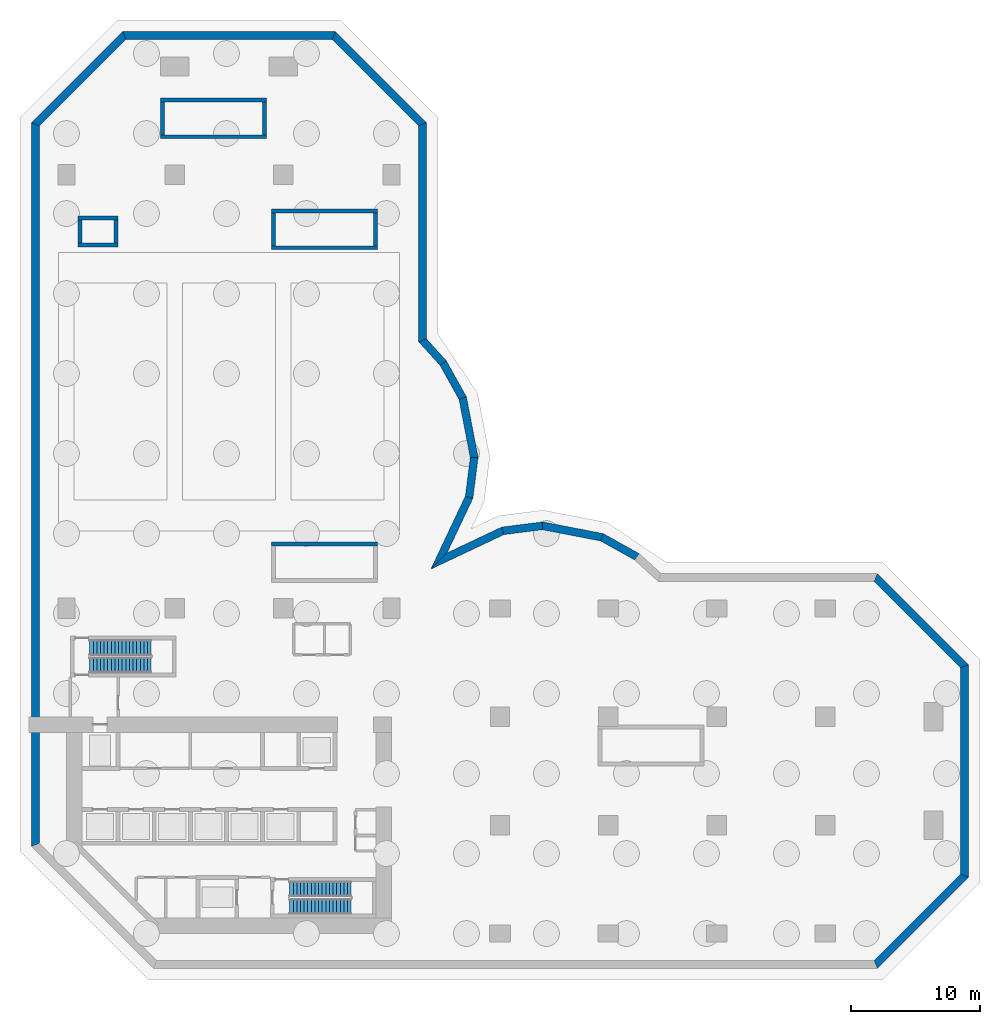
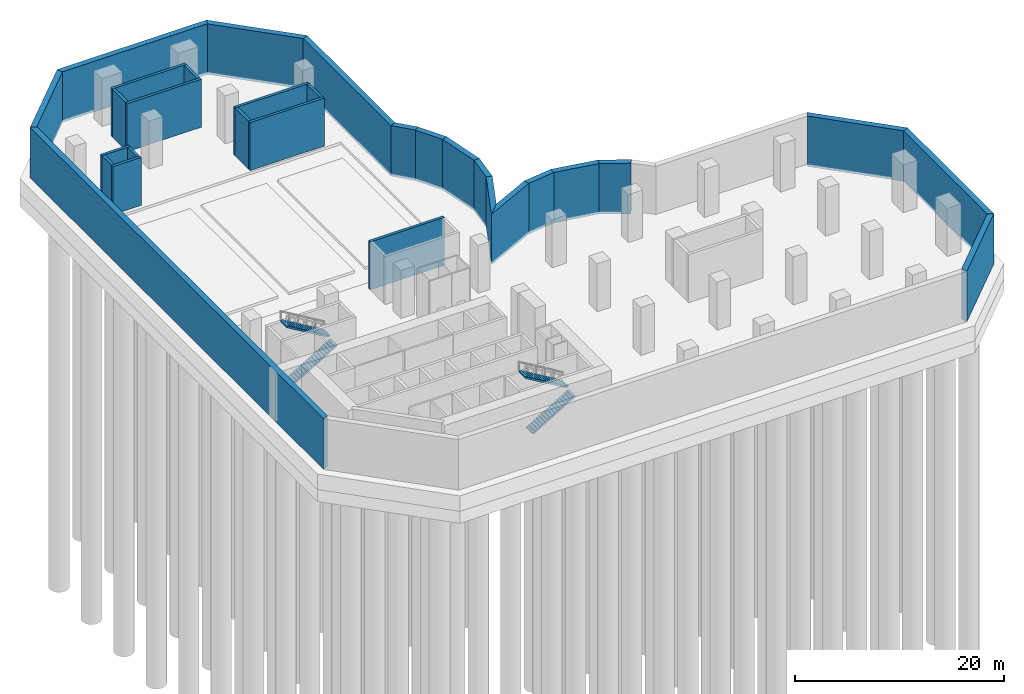
# One storey, part 4 of 6: 30 walls, 4 stair flights, 2 elements without a shape of their own.
"""IFC4 building model written with IfcOpenShell, lengths in metres."""

import ifcopenshell
import ifcopenshell.guid

model = None  # the IFC model being written
_history = None  # IfcOwnerHistory: only IFC2X3 demands one
_inside = {}  # id of a spatial element -> (the spatial element, [elements in it])
_under = {}  # id of a project, library or spatial element -> (it, [spatial elements below it])
_declared = {}  # id of a project -> (the project, [libraries it declares])
_typed = {}  # id of a type object -> (the type object, [elements of that type])
_made_of = {}  # id of a material, layer set ... -> (it, [elements and type objects made of it])


def new_model(schema):
    """Start an empty IFC model of exactly this schema.

    Asked for "IFC4X3", IfcOpenShell would pick the latest addendum, in which some entities
    have other attributes; the version numbers below select the first issue.
    IFC2X3 requires an IfcOwnerHistory on every rooted entity: one is made here for all.
    """
    global model, _history
    if schema == "IFC4X3":
        model = ifcopenshell.file(schema_version=(4, 3, 0, 0))
    else:
        model = ifcopenshell.file(schema=schema)
    _inside.clear()
    _under.clear()
    _declared.clear()
    _typed.clear()
    _made_of.clear()
    _history = None
    if model.schema == "IFC2X3":
        org = make("IfcOrganization", Name="unknown")
        user = make(
            "IfcPersonAndOrganization",
            ThePerson=make("IfcPerson", FamilyName="unknown"),
            TheOrganization=org,
        )
        app = make(
            "IfcApplication",
            ApplicationDeveloper=org,
            Version="unknown",
            ApplicationFullName="unknown",
            ApplicationIdentifier="unknown",
        )
        _history = make(
            "IfcOwnerHistory",
            OwningUser=user,
            OwningApplication=app,
            ChangeAction="ADDED",
            CreationDate=0,
        )
    return model


def make(cls, **values):
    """One entity of the class cls with the attributes given. An attribute that is None is left unset."""
    return model.create_entity(
        cls, **{name: value for name, value in values.items() if value is not None}
    )


def rooted(cls, **values):
    """An entity with a GlobalId (a new one), such as an element, a storey or a relation."""
    return make(cls, GlobalId=ifcopenshell.guid.new(), OwnerHistory=_history, **values)


def si_unit(unit_type, name, prefix=None):
    """IfcSIUnit, for example si_unit("LENGTHUNIT", "METRE", prefix="MILLI")."""
    return make("IfcSIUnit", UnitType=unit_type, Prefix=prefix, Name=name)


def assignment(units):
    """IfcUnitAssignment: the units of a project."""
    return None if units is None else make("IfcUnitAssignment", Units=units)


def point(xyz):
    """IfcCartesianPoint."""
    return None if xyz is None else make("IfcCartesianPoint", Coordinates=xyz)


def direction(xyz):
    """IfcDirection."""
    return None if xyz is None else make("IfcDirection", DirectionRatios=xyz)


def frame(location, z_axis=None, x_axis=None):
    """IfcAxis2Placement3D, a coordinate frame: its origin and axes. An axis left out is left unset."""
    return make(
        "IfcAxis2Placement3D",
        Location=point(location),
        Axis=direction(z_axis),
        RefDirection=direction(x_axis),
    )


def frame_2d(location, x_axis=None):
    """IfcAxis2Placement2D, a coordinate frame in the plane: its origin and x axis."""
    return make(
        "IfcAxis2Placement2D", Location=point(location), RefDirection=direction(x_axis)
    )


def origin():
    """The frame at (0, 0, 0) with its axes left unset."""
    return frame((0.0, 0.0, 0.0))


def place(relative_to, where):
    """IfcLocalPlacement: puts the frame where relative to a parent placement (None: the world)."""
    return make(
        "IfcLocalPlacement", PlacementRelTo=relative_to, RelativePlacement=where
    )


def context(
    kind, dimensions, precision=None, world=None, true_north=None, identifier=None
):
    """IfcGeometricRepresentationContext, for example the 3D "Model" context."""
    return make(
        "IfcGeometricRepresentationContext",
        ContextIdentifier=identifier,
        ContextType=kind,
        CoordinateSpaceDimension=dimensions,
        Precision=precision,
        WorldCoordinateSystem=world,
        TrueNorth=true_north,
    )


def subcontext(parent, identifier, kind, view, scale=None):
    """IfcGeometricRepresentationSubContext, for example "Body" below "Model"."""
    return make(
        "IfcGeometricRepresentationSubContext",
        ContextIdentifier=identifier,
        ContextType=kind,
        ParentContext=parent,
        TargetScale=scale,
        TargetView=view,
    )


def project(units=None, contexts=None):
    """IfcProject with its units and contexts."""
    return rooted(
        "IfcProject",
        Name="project",
        RepresentationContexts=contexts,
        UnitsInContext=assignment(units),
    )


def spatial(cls, under=None, at=None, **own):
    """A site, building, storey or space (cls), placed at a placement, below another one or the project."""
    s = rooted(cls, ObjectPlacement=at, **own)
    if under is not None:
        _under.setdefault(under.id(), (under, []))[1].append(s)
    return s


def polyline(points):
    """IfcPolyline through the points."""
    return make("IfcPolyline", Points=[point(p) for p in points])


def profile(cls, at=None, kind="AREA", **sizes):
    """A parametric profile (cls). Its sizes go by their IFC names, for example OverallWidth=200.0."""
    return make(cls, ProfileType=kind, Position=at, **sizes)


def rectangle(**sizes):
    """IfcRectangleProfileDef."""
    return profile("IfcRectangleProfileDef", **sizes)


def outline(outer, holes=None, kind="AREA"):
    """IfcArbitraryClosedProfileDef: a profile drawn as a closed curve; with holes, ...WithVoids."""
    if holes is None:
        return make("IfcArbitraryClosedProfileDef", ProfileType=kind, OuterCurve=outer)
    return make(
        "IfcArbitraryProfileDefWithVoids",
        ProfileType=kind,
        OuterCurve=outer,
        InnerCurves=holes,
    )


def extrude(swept, where, along, depth):
    """IfcExtrudedAreaSolid: the profile swept, set in the frame where, extruded along a direction by depth."""
    return make(
        "IfcExtrudedAreaSolid",
        SweptArea=swept,
        Position=where,
        ExtrudedDirection=direction(along),
        Depth=depth,
    )


def shape(context_of_items, identifier, shape_type, items):
    """IfcShapeRepresentation: the items that make up one representation, for example the "Body"."""
    return make(
        "IfcShapeRepresentation",
        ContextOfItems=context_of_items,
        RepresentationIdentifier=identifier,
        RepresentationType=shape_type,
        Items=items,
    )


def material(Name=None, Category=None):
    """IfcMaterial."""
    return make("IfcMaterial", Name=Name, Category=Category)


def layer(
    of_material, thickness, ventilated=None, Name=None, Category=None, Priority=None
):
    """IfcMaterialLayer: one layer of a wall or slab, of a material (None: an air gap)."""
    return make(
        "IfcMaterialLayer",
        Material=of_material,
        LayerThickness=thickness,
        IsVentilated=ventilated,
        Name=Name,
        Category=Category,
        Priority=Priority,
    )


def layer_set(layers, Name=None):
    """IfcMaterialLayerSet."""
    return make("IfcMaterialLayerSet", MaterialLayers=layers, LayerSetName=Name)


def made_of(thing, what):
    """Note that an element or type object is made of a material, layer set ...; save() writes the relation."""
    if what is not None:
        _made_of.setdefault(what.id(), (what, []))[1].append(thing)
    return thing


def type_object(cls, material=None, **own):
    """A type object (cls), such as IfcWallType, which elements share."""
    return made_of(rooted(cls, **own), material)


def element(
    cls,
    number,
    at=None,
    inside=None,
    cuts=None,
    type_object=None,
    material=None,
    context=None,
    identifier="Body",
    shape_type=None,
    held_by="IfcProductDefinitionShape",
    body=None,
    shapes=None,
    **own,
):
    """One element of the class cls, such as IfcWall. Its Tag is "e" and its number.

    at: its placement. inside: the storey or other place that contains it. cuts: it is an
    opening in that element (IfcRelVoidsElement). A single representation is given by context,
    identifier, shape_type and body (its items); several are given by shapes. held_by: the class
    of the entity that holds the representations. save() writes the other relations.
    """
    e = rooted(cls, Tag="e%d" % number, ObjectPlacement=at, **own)
    if body is not None:
        shapes = [shape(context, identifier, shape_type, body)]
    if shapes is not None:
        e.Representation = make(held_by, Representations=shapes)
    if inside is not None:
        _inside.setdefault(inside.id(), (inside, []))[1].append(e)
    if cuts is not None:
        rooted(
            "IfcRelVoidsElement", RelatingBuildingElement=cuts, RelatedOpeningElement=e
        )
    if type_object is not None:
        _typed.setdefault(type_object.id(), (type_object, []))[1].append(e)
    return made_of(e, material)


def aggregate(whole, parts):
    """IfcRelAggregates: a whole, such as a stair, and the parts it consists of."""
    return rooted("IfcRelAggregates", RelatingObject=whole, RelatedObjects=parts)


def save(model, path):
    """Write the relations noted so far, then the file.

    IfcRelAggregates (storeys below a building ...), IfcRelContainedInSpatialStructure (elements
    in a storey), IfcRelDefinesByType, IfcRelAssociatesMaterial and IfcRelDeclares: one each for
    every whole, place, type object, material and project.
    """
    for whole, parts in _under.values():
        aggregate(whole, parts)
    for where, things in _inside.values():
        rooted(
            "IfcRelContainedInSpatialStructure",
            RelatedElements=things,
            RelatingStructure=where,
        )
    for kind, things in _typed.values():
        rooted("IfcRelDefinesByType", RelatedObjects=things, RelatingType=kind)
    for what, things in _made_of.values():
        rooted("IfcRelAssociatesMaterial", RelatedObjects=things, RelatingMaterial=what)
    for by, libraries in _declared.values():
        rooted("IfcRelDeclares", RelatingContext=by, RelatedDefinitions=libraries)
    model.write(path)


model = new_model("IFC4")

# Units and contexts
model_context = context("Model", 3, precision=1e-05, world=origin(), true_north=direction((0.0, 1.0)))
body_context = subcontext(model_context, "Body", "Model", "MODEL_VIEW")
ifc_project = project(units=[si_unit("LENGTHUNIT", "METRE"), si_unit("AREAUNIT", "SQUARE_METRE"), si_unit("VOLUMEUNIT", "CUBIC_METRE"), si_unit("PLANEANGLEUNIT", "RADIAN"), si_unit("MASSUNIT", "GRAM", prefix="KILO")], contexts=[model_context])

# Site, building, storey
site_placement = place(None, origin())
site = spatial("IfcSite", under=ifc_project, at=site_placement, CompositionType="ELEMENT")
building_placement = place(site_placement, origin())
building = spatial("IfcBuilding", under=site, at=building_placement, Name="Brevane Broadcast Tower", CompositionType="ELEMENT")
storey_placement = place(building_placement, frame((0.0, 0.0, -6.0)))
storey = spatial("IfcBuildingStorey", under=building, at=storey_placement, Name="B1", CompositionType="ELEMENT", Elevation=-6.0)

# Walls
ifc_material_1 = material(Name="Concrete C80/95", Category="concrete")
ifc_layer_1 = layer(ifc_material_1, 0.300048828125)
ifc_layer_set_1 = layer_set([ifc_layer_1], Name="Core wall 300 mm C80/95")
wall_type_1 = type_object("IfcWallType", Name="Core wall 300 mm C80/95", PredefinedType="SHEAR", material=ifc_layer_set_1)
for number, where, z_axis, x_axis, name in (
    (1, (0.89990234375, 53.35009765625, 0.0), (0.0, 0.0, 1.0), (1.0, 0.0, 0.0), "B1 shaft wall PL1-S"),
    (2, (0.89990234375, 55.449951171875, 0.0), (0.0, 0.0, 1.0), (1.0, 0.0, 0.0), "B1 shaft wall PL1-N"),
):
    element("IfcWall", number, at=place(storey_placement, frame(where, z_axis=z_axis, x_axis=x_axis)), inside=storey, type_object=wall_type_1, Name=name, PredefinedType="SHEAR", context=body_context, shape_type="SweptSolid", body=[
        extrude(rectangle(XDim=3.10009765625, YDim=0.300048828125, at=frame_2d((1.550048828125, 0.0))), origin(), (0.0, 0.0, 1.0), 5.60009765625),
    ])
for number, where, z_axis, x_axis, name in (
    (3, (1.050048828125, 53.5, 0.0), (0.0, 0.0, 1.0), (0.0, 1.0, 0.0), "B1 shaft wall PL1-W"),
    (4, (3.85009765625, 53.5, 0.0), (0.0, 0.0, 1.0), (0.0, 1.0, 0.0), "B1 shaft wall PL1-E"),
):
    element("IfcWall", number, at=place(storey_placement, frame(where, z_axis=z_axis, x_axis=x_axis)), inside=storey, type_object=wall_type_1, Name=name, PredefinedType="SHEAR", context=body_context, shape_type="SweptSolid", body=[
        extrude(rectangle(XDim=1.800048828125, YDim=0.300048828125, at=frame_2d((0.89990234375, 0.0))), origin(), (0.0, 0.0, 1.0), 5.60009765625),
    ])
for number, where, z_axis, x_axis, name in (
    (5, (15.89990234375, 30.199951171875, 0.0), (0.0, 0.0, 1.0), (1.0, 0.0, 0.0), "B1 stair wall ST-3-N"),
    (6, (15.89990234375, 53.14990234375, 0.0), (0.0, 0.0, 1.0), (1.0, 0.0, 0.0), "B1 stair wall ST-5-S"),
    (7, (15.89990234375, 56.0, 0.0), (0.0, 0.0, 1.0), (1.0, 0.0, 0.0), "B1 stair wall ST-5-N"),
):
    element("IfcWall", number, at=place(storey_placement, frame(where, z_axis=z_axis, x_axis=x_axis)), inside=storey, type_object=wall_type_1, Name=name, PredefinedType="SHEAR", context=body_context, shape_type="SweptSolid", body=[
        extrude(rectangle(XDim=8.2001953125, YDim=0.300048828125, at=frame_2d((4.10009765625, 0.0))), origin(), (0.0, 0.0, 1.0), 5.60009765625),
    ])
for number, where, z_axis, x_axis, name in (
    (8, (16.050048828125, 53.300048828125, 0.0), (0.0, 0.0, 1.0), (0.0, 1.0, 0.0), "B1 stair wall ST-5-W"),
    (9, (23.949951171875, 53.300048828125, 0.0), (0.0, 0.0, 1.0), (0.0, 1.0, 0.0), "B1 stair wall ST-5-E"),
):
    element("IfcWall", number, at=place(storey_placement, frame(where, z_axis=z_axis, x_axis=x_axis)), inside=storey, type_object=wall_type_1, Name=name, PredefinedType="SHEAR", context=body_context, shape_type="SweptSolid", body=[
        extrude(rectangle(XDim=2.550048828125, YDim=0.300048828125, at=frame_2d((1.27490234375, 0.0))), origin(), (0.0, 0.0, 1.0), 5.60009765625),
    ])
for number, where, z_axis, x_axis, name in (
    (10, (7.300048828125, 61.75, 0.0), (0.0, 0.0, 1.0), (1.0, 0.0, 0.0), "B1 stair wall ST-6-S"),
    (11, (7.300048828125, 64.60009765625, 0.0), (0.0, 0.0, 1.0), (1.0, 0.0, 0.0), "B1 stair wall ST-6-N"),
):
    element("IfcWall", number, at=place(storey_placement, frame(where, z_axis=z_axis, x_axis=x_axis)), inside=storey, type_object=wall_type_1, Name=name, PredefinedType="SHEAR", context=body_context, shape_type="SweptSolid", body=[
        extrude(rectangle(XDim=8.199951171875, YDim=0.300048828125, at=frame_2d((4.10009765625, 0.0))), origin(), (0.0, 0.0, 1.0), 5.60009765625),
    ])
for number, where, z_axis, x_axis, name in (
    (12, (7.449951171875, 61.89990234375, 0.0), (0.0, 0.0, 1.0), (0.0, 1.0, 0.0), "B1 stair wall ST-6-W"),
    (13, (15.35009765625, 61.89990234375, 0.0), (0.0, 0.0, 1.0), (0.0, 1.0, 0.0), "B1 stair wall ST-6-E"),
):
    element("IfcWall", number, at=place(storey_placement, frame(where, z_axis=z_axis, x_axis=x_axis)), inside=storey, type_object=wall_type_1, Name=name, PredefinedType="SHEAR", context=body_context, shape_type="SweptSolid", body=[
        extrude(rectangle(XDim=2.550048828125, YDim=0.300048828125, at=frame_2d((1.27490234375, 0.0))), origin(), (0.0, 0.0, 1.0), 5.60009765625),
    ])
ifc_material_2 = material(Name="Concrete C50/60", Category="concrete")
ifc_layer_2 = layer(ifc_material_2, 0.60009765625)
ifc_layer_set_2 = layer_set([ifc_layer_2], Name="RC BASEMENT WALL 600 C50/60")
wall_type_2 = type_object("IfcWallType", Name="RC BASEMENT WALL 600 C50/60", PredefinedType="SOLIDWALL", material=ifc_layer_set_2)
wall_1_placement = place(storey_placement, frame((0.0, 0.0, -0.300048828125)))
element("IfcWall", 14, at=wall_1_placement, inside=storey, type_object=wall_type_2, Name="BW1", PredefinedType="SOLIDWALL", context=body_context, shape_type="SweptSolid", body=[
    extrude(outline(polyline([(62.845458984375, -2.699951171875), (69.89990234375, 4.3544921875), (69.300048828125, 4.60302734375), (62.59716796875, -2.10009765625), (62.845458984375, -2.699951171875)])), origin(), (0.0, 0.0, 1.0), 5.900146484375),
])
wall_2_placement = place(storey_placement, frame((0.0, 0.0, -0.300048828125)))
element("IfcWall", 15, at=wall_2_placement, inside=storey, type_object=wall_type_2, Name="BW2", PredefinedType="SOLIDWALL", context=body_context, shape_type="SweptSolid", body=[
    extrude(outline(polyline([(69.89990234375, 4.3544921875), (69.89990234375, 20.845458984375), (69.300048828125, 20.59716796875), (69.300048828125, 4.60302734375), (69.89990234375, 4.3544921875)])), origin(), (0.0, 0.0, 1.0), 5.900146484375),
])
wall_3_placement = place(storey_placement, frame((0.0, 0.0, -0.300048828125)))
element("IfcWall", 16, at=wall_3_placement, inside=storey, type_object=wall_type_2, Name="BW3", PredefinedType="SOLIDWALL", context=body_context, shape_type="SweptSolid", body=[
    extrude(outline(polyline([(69.89990234375, 20.845458984375), (62.845458984375, 27.89990234375), (62.59716796875, 27.300048828125), (69.300048828125, 20.59716796875), (69.89990234375, 20.845458984375)])), origin(), (0.0, 0.0, 1.0), 5.900146484375),
])
wall_4_placement = place(storey_placement, frame((0.0, 0.0, -0.300048828125)))
element("IfcWall", 17, at=wall_4_placement, inside=storey, type_object=wall_type_2, Name="BW6", PredefinedType="SOLIDWALL", context=body_context, shape_type="SweptSolid", body=[
    extrude(outline(polyline([(44.386962890625, 29.44384765625), (41.59326171875, 30.998779296875), (41.385498046875, 30.427734375), (44.03466796875, 28.953125), (44.386962890625, 29.44384765625)])), origin(), (0.0, 0.0, 1.0), 5.900146484375),
])
wall_5_placement = place(storey_placement, frame((0.0, 0.0, -0.300048828125)))
element("IfcWall", 18, at=wall_5_placement, inside=storey, type_object=wall_type_2, Name="BW7", PredefinedType="SOLIDWALL", context=body_context, shape_type="SweptSolid", body=[
    extrude(outline(polyline([(41.59326171875, 30.998779296875), (36.89990234375, 31.903564453125), (36.880615234375, 31.29638671875), (41.385498046875, 30.427734375), (41.59326171875, 30.998779296875)])), origin(), (0.0, 0.0, 1.0), 5.900146484375),
])
wall_6_placement = place(storey_placement, frame((0.0, 0.0, -0.300048828125)))
element("IfcWall", 19, at=wall_6_placement, inside=storey, type_object=wall_type_2, Name="BW8", PredefinedType="SOLIDWALL", context=body_context, shape_type="SweptSolid", body=[
    extrude(outline(polyline([(36.89990234375, 31.903564453125), (33.728515625, 31.498779296875), (33.89892578125, 30.91552734375), (36.880615234375, 31.29638671875), (36.89990234375, 31.903564453125)])), origin(), (0.0, 0.0, 1.0), 5.900146484375),
])
wall_7_placement = place(storey_placement, frame((0.0, 0.0, -0.300048828125)))
element("IfcWall", 20, at=wall_7_placement, inside=storey, type_object=wall_type_2, Name="BW9", PredefinedType="SOLIDWALL", context=body_context, shape_type="SweptSolid", body=[
    extrude(outline(polyline([(33.728515625, 31.498779296875), (29.4990234375, 29.4990234375), (28.240234375, 28.240234375), (33.89892578125, 30.91552734375), (33.728515625, 31.498779296875)])), origin(), (0.0, 0.0, 1.0), 5.900146484375),
])
wall_8_placement = place(storey_placement, frame((0.0, 0.0, -0.300048828125)))
element("IfcWall", 21, at=wall_8_placement, inside=storey, type_object=wall_type_2, Name="BW10", PredefinedType="SOLIDWALL", context=body_context, shape_type="SweptSolid", body=[
    extrude(outline(polyline([(29.4990234375, 29.4990234375), (31.498779296875, 33.728515625), (30.91552734375, 33.89892578125), (28.240234375, 28.240234375), (29.4990234375, 29.4990234375)])), origin(), (0.0, 0.0, 1.0), 5.900146484375),
])
wall_9_placement = place(storey_placement, frame((0.0, 0.0, -0.300048828125)))
element("IfcWall", 22, at=wall_9_placement, inside=storey, type_object=wall_type_2, Name="BW11", PredefinedType="SOLIDWALL", context=body_context, shape_type="SweptSolid", body=[
    extrude(outline(polyline([(31.498779296875, 33.728515625), (31.903564453125, 36.89990234375), (31.29638671875, 36.880615234375), (30.91552734375, 33.89892578125), (31.498779296875, 33.728515625)])), origin(), (0.0, 0.0, 1.0), 5.900146484375),
])
wall_10_placement = place(storey_placement, frame((0.0, 0.0, -0.300048828125)))
element("IfcWall", 23, at=wall_10_placement, inside=storey, type_object=wall_type_2, Name="BW12", PredefinedType="SOLIDWALL", context=body_context, shape_type="SweptSolid", body=[
    extrude(outline(polyline([(31.903564453125, 36.89990234375), (30.998779296875, 41.59326171875), (30.427734375, 41.385498046875), (31.29638671875, 36.880615234375), (31.903564453125, 36.89990234375)])), origin(), (0.0, 0.0, 1.0), 5.900146484375),
])
wall_11_placement = place(storey_placement, frame((0.0, 0.0, -0.300048828125)))
element("IfcWall", 24, at=wall_11_placement, inside=storey, type_object=wall_type_2, Name="BW13", PredefinedType="SOLIDWALL", context=body_context, shape_type="SweptSolid", body=[
    extrude(outline(polyline([(30.998779296875, 41.59326171875), (29.44384765625, 44.386962890625), (28.953125, 44.03466796875), (30.427734375, 41.385498046875), (30.998779296875, 41.59326171875)])), origin(), (0.0, 0.0, 1.0), 5.900146484375),
])
wall_12_placement = place(storey_placement, frame((0.0, 0.0, -0.300048828125)))
element("IfcWall", 25, at=wall_12_placement, inside=storey, type_object=wall_type_2, Name="BW14", PredefinedType="SOLIDWALL", context=body_context, shape_type="SweptSolid", body=[
    extrude(outline(polyline([(29.44384765625, 44.386962890625), (27.89990234375, 46.088134765625), (27.300048828125, 45.8564453125), (28.953125, 44.03466796875), (29.44384765625, 44.386962890625)])), origin(), (0.0, 0.0, 1.0), 5.900146484375),
])
wall_13_placement = place(storey_placement, frame((0.0, 0.0, -0.300048828125)))
element("IfcWall", 26, at=wall_13_placement, inside=storey, type_object=wall_type_2, Name="BW15", PredefinedType="SOLIDWALL", context=body_context, shape_type="SweptSolid", body=[
    extrude(outline(polyline([(27.89990234375, 46.088134765625), (27.89990234375, 62.845458984375), (27.300048828125, 62.59716796875), (27.300048828125, 45.8564453125), (27.89990234375, 46.088134765625)])), origin(), (0.0, 0.0, 1.0), 5.900146484375),
])
wall_14_placement = place(storey_placement, frame((0.0, 0.0, -0.300048828125)))
element("IfcWall", 27, at=wall_14_placement, inside=storey, type_object=wall_type_2, Name="BW16", PredefinedType="SOLIDWALL", context=body_context, shape_type="SweptSolid", body=[
    extrude(outline(polyline([(27.89990234375, 62.845458984375), (20.845458984375, 69.89990234375), (20.59716796875, 69.300048828125), (27.300048828125, 62.59716796875), (27.89990234375, 62.845458984375)])), origin(), (0.0, 0.0, 1.0), 5.900146484375),
])
wall_15_placement = place(storey_placement, frame((0.0, 0.0, -0.300048828125)))
element("IfcWall", 28, at=wall_15_placement, inside=storey, type_object=wall_type_2, Name="BW17", PredefinedType="SOLIDWALL", context=body_context, shape_type="SweptSolid", body=[
    extrude(outline(polyline([(20.845458984375, 69.89990234375), (4.3544921875, 69.89990234375), (4.60302734375, 69.300048828125), (20.59716796875, 69.300048828125), (20.845458984375, 69.89990234375)])), origin(), (0.0, 0.0, 1.0), 5.900146484375),
])
wall_16_placement = place(storey_placement, frame((0.0, 0.0, -0.300048828125)))
element("IfcWall", 29, at=wall_16_placement, inside=storey, type_object=wall_type_2, Name="BW18", PredefinedType="SOLIDWALL", context=body_context, shape_type="SweptSolid", body=[
    extrude(outline(polyline([(4.3544921875, 69.89990234375), (-2.699951171875, 62.845458984375), (-2.10009765625, 62.59716796875), (4.60302734375, 69.300048828125), (4.3544921875, 69.89990234375)])), origin(), (0.0, 0.0, 1.0), 5.900146484375),
])
wall_17_placement = place(storey_placement, frame((0.0, 0.0, -0.300048828125)))
element("IfcWall", 30, at=wall_17_placement, inside=storey, type_object=wall_type_2, Name="BW19", PredefinedType="SOLIDWALL", context=body_context, shape_type="SweptSolid", body=[
    extrude(outline(polyline([(-2.699951171875, 62.845458984375), (-2.699951171875, 6.75439453125), (-2.10009765625, 7.0029296875), (-2.10009765625, 62.59716796875), (-2.699951171875, 62.845458984375)])), origin(), (0.0, 0.0, 1.0), 5.900146484375),
])

# Stair, stair flights
stair_type = type_object("IfcStairType", Name="Exit stair 36 risers", PredefinedType="HALF_TURN_STAIR", material=ifc_material_2)
stair_1_placement = place(storey_placement, origin())
stair_1 = element("IfcStair", 31, at=stair_1_placement, inside=storey, type_object=stair_type, Name="B1 Exit stair ST-1", PredefinedType="HALF_TURN_STAIR")
stair_flight_type = type_object("IfcStairFlightType", Name="Exit stair flight 36 risers", PredefinedType="STRAIGHT", material=ifc_material_2)
stair_flight_1_placement = place(storey_placement, frame((1.800048828125, 20.800048828125, 0.0), z_axis=(0.0, 0.0, 1.0), x_axis=(1.0, 0.0, 0.0)))
stair_flight_1 = element("IfcStairFlight", 32, at=stair_flight_1_placement, type_object=stair_flight_type, Name="ST-1 flight 1", NumberOfRisers=18, NumberOfTreads=17, PredefinedType="STRAIGHT", RiserHeight=0.166666667, TreadLength=0.28, context=body_context, shape_type="SweptSolid", body=[
    extrude(outline(polyline([(0.0, 0.0), (0.0, 0.166748046875), (0.280029296875, 0.166748046875), (0.280029296875, 0.333251953125), (0.56005859375, 0.333251953125), (0.56005859375, 0.5), (0.840087890625, 0.5), (0.840087890625, 0.666748046875), (1.1201171875, 0.666748046875), (1.1201171875, 0.833251953125), (1.39990234375, 0.833251953125), (1.39990234375, 1.0), (1.679931640625, 1.0), (1.679931640625, 1.166748046875), (1.9599609375, 1.166748046875), (1.9599609375, 1.333251953125), (2.239990234375, 1.333251953125), (2.239990234375, 1.5), (2.52001953125, 1.5), (2.52001953125, 1.666748046875), (2.800048828125, 1.666748046875), (2.800048828125, 1.833251953125), (3.080078125, 1.833251953125), (3.080078125, 2.0), (3.360107421875, 2.0), (3.360107421875, 2.166748046875), (3.639892578125, 2.166748046875), (3.639892578125, 2.333251953125), (3.919921875, 2.333251953125), (3.919921875, 2.5), (4.199951171875, 2.5), (4.199951171875, 2.666748046875), (4.47998046875, 2.666748046875), (4.47998046875, 2.833251953125), (4.760009765625, 2.833251953125), (4.760009765625, 3.0), (4.760009765625, 2.658935546875), (0.29296875, 0.0), (0.0, 0.0)])), frame((0.0, 0.60009765625, 0.0), z_axis=(0.0, -1.0, 0.0), x_axis=(1.0, 0.0, 0.0)), (0.0, 0.0, 1.0), 1.199951171875),
])
stair_flight_2_placement = place(storey_placement, frame((6.56005859375, 22.14990234375, 3.0), z_axis=(0.0, 0.0, 1.0), x_axis=(-1.0, 0.0, 0.0)))
stair_flight_2 = element("IfcStairFlight", 33, at=stair_flight_2_placement, type_object=stair_flight_type, Name="ST-1 flight 2", NumberOfRisers=18, NumberOfTreads=17, PredefinedType="STRAIGHT", RiserHeight=0.166666667, TreadLength=0.28, context=body_context, shape_type="SweptSolid", body=[
    extrude(outline(polyline([(0.0, 0.0), (0.0, 0.166748046875), (0.280029296875, 0.166748046875), (0.280029296875, 0.333251953125), (0.56005859375, 0.333251953125), (0.56005859375, 0.5), (0.840087890625, 0.5), (0.840087890625, 0.666748046875), (1.1201171875, 0.666748046875), (1.1201171875, 0.833251953125), (1.39990234375, 0.833251953125), (1.39990234375, 1.0), (1.679931640625, 1.0), (1.679931640625, 1.166748046875), (1.9599609375, 1.166748046875), (1.9599609375, 1.333251953125), (2.239990234375, 1.333251953125), (2.239990234375, 1.5), (2.52001953125, 1.5), (2.52001953125, 1.666748046875), (2.800048828125, 1.666748046875), (2.800048828125, 1.833251953125), (3.080078125, 1.833251953125), (3.080078125, 2.0), (3.360107421875, 2.0), (3.360107421875, 2.166748046875), (3.639892578125, 2.166748046875), (3.639892578125, 2.333251953125), (3.919921875, 2.333251953125), (3.919921875, 2.5), (4.199951171875, 2.5), (4.199951171875, 2.666748046875), (4.47998046875, 2.666748046875), (4.47998046875, 2.833251953125), (4.760009765625, 2.833251953125), (4.760009765625, 3.0), (4.760009765625, 2.658935546875), (0.29296875, 0.0), (0.0, 0.0)])), frame((0.0, 0.60009765625, 0.0), z_axis=(0.0, -1.0, 0.0), x_axis=(1.0, 0.0, 0.0)), (0.0, 0.0, 1.0), 1.199951171875),
])
aggregate(stair_1, [stair_flight_1, stair_flight_2])

stair_2_placement = place(storey_placement, origin())
stair_2 = element("IfcStair", 34, at=stair_2_placement, inside=storey, type_object=stair_type, Name="B1 Exit stair ST-2", PredefinedType="HALF_TURN_STAIR")
stair_flight_3_placement = place(storey_placement, frame((17.300048828125, 2.10009765625, 0.0), z_axis=(0.0, 0.0, 1.0), x_axis=(1.0, 0.0, 0.0)))
stair_flight_3 = element("IfcStairFlight", 35, at=stair_flight_3_placement, type_object=stair_flight_type, Name="ST-2 flight 1", NumberOfRisers=18, NumberOfTreads=17, PredefinedType="STRAIGHT", RiserHeight=0.166666667, TreadLength=0.28, context=body_context, shape_type="SweptSolid", body=[
    extrude(outline(polyline([(0.0, 0.0), (0.0, 0.166748046875), (0.280029296875, 0.166748046875), (0.280029296875, 0.333251953125), (0.56005859375, 0.333251953125), (0.56005859375, 0.5), (0.840087890625, 0.5), (0.840087890625, 0.666748046875), (1.1201171875, 0.666748046875), (1.1201171875, 0.833251953125), (1.39990234375, 0.833251953125), (1.39990234375, 1.0), (1.679931640625, 1.0), (1.679931640625, 1.166748046875), (1.9599609375, 1.166748046875), (1.9599609375, 1.333251953125), (2.239990234375, 1.333251953125), (2.239990234375, 1.5), (2.52001953125, 1.5), (2.52001953125, 1.666748046875), (2.800048828125, 1.666748046875), (2.800048828125, 1.833251953125), (3.080078125, 1.833251953125), (3.080078125, 2.0), (3.360107421875, 2.0), (3.360107421875, 2.166748046875), (3.639892578125, 2.166748046875), (3.639892578125, 2.333251953125), (3.919921875, 2.333251953125), (3.919921875, 2.5), (4.199951171875, 2.5), (4.199951171875, 2.666748046875), (4.47998046875, 2.666748046875), (4.47998046875, 2.833251953125), (4.760009765625, 2.833251953125), (4.760009765625, 3.0), (4.760009765625, 2.658935546875), (0.29296875, 0.0), (0.0, 0.0)])), frame((0.0, 0.60009765625, 0.0), z_axis=(0.0, -1.0, 0.0), x_axis=(1.0, 0.0, 0.0)), (0.0, 0.0, 1.0), 1.199951171875),
])
stair_flight_4_placement = place(storey_placement, frame((22.06005859375, 3.449951171875, 3.0), z_axis=(0.0, 0.0, 1.0), x_axis=(-1.0, 0.0, 0.0)))
stair_flight_4 = element("IfcStairFlight", 36, at=stair_flight_4_placement, type_object=stair_flight_type, Name="ST-2 flight 2", NumberOfRisers=18, NumberOfTreads=17, PredefinedType="STRAIGHT", RiserHeight=0.166666667, TreadLength=0.28, context=body_context, shape_type="SweptSolid", body=[
    extrude(outline(polyline([(0.0, 0.0), (0.0, 0.166748046875), (0.280029296875, 0.166748046875), (0.280029296875, 0.333251953125), (0.56005859375, 0.333251953125), (0.56005859375, 0.5), (0.840087890625, 0.5), (0.840087890625, 0.666748046875), (1.1201171875, 0.666748046875), (1.1201171875, 0.833251953125), (1.39990234375, 0.833251953125), (1.39990234375, 1.0), (1.679931640625, 1.0), (1.679931640625, 1.166748046875), (1.9599609375, 1.166748046875), (1.9599609375, 1.333251953125), (2.239990234375, 1.333251953125), (2.239990234375, 1.5), (2.52001953125, 1.5), (2.52001953125, 1.666748046875), (2.800048828125, 1.666748046875), (2.800048828125, 1.833251953125), (3.080078125, 1.833251953125), (3.080078125, 2.0), (3.360107421875, 2.0), (3.360107421875, 2.166748046875), (3.639892578125, 2.166748046875), (3.639892578125, 2.333251953125), (3.919921875, 2.333251953125), (3.919921875, 2.5), (4.199951171875, 2.5), (4.199951171875, 2.666748046875), (4.47998046875, 2.666748046875), (4.47998046875, 2.833251953125), (4.760009765625, 2.833251953125), (4.760009765625, 3.0), (4.760009765625, 2.658935546875), (0.29296875, 0.0), (0.0, 0.0)])), frame((0.0, 0.60009765625, 0.0), z_axis=(0.0, -1.0, 0.0), x_axis=(1.0, 0.0, 0.0)), (0.0, 0.0, 1.0), 1.199951171875),
])
aggregate(stair_2, [stair_flight_3, stair_flight_4])

save(model, "model.ifc")
